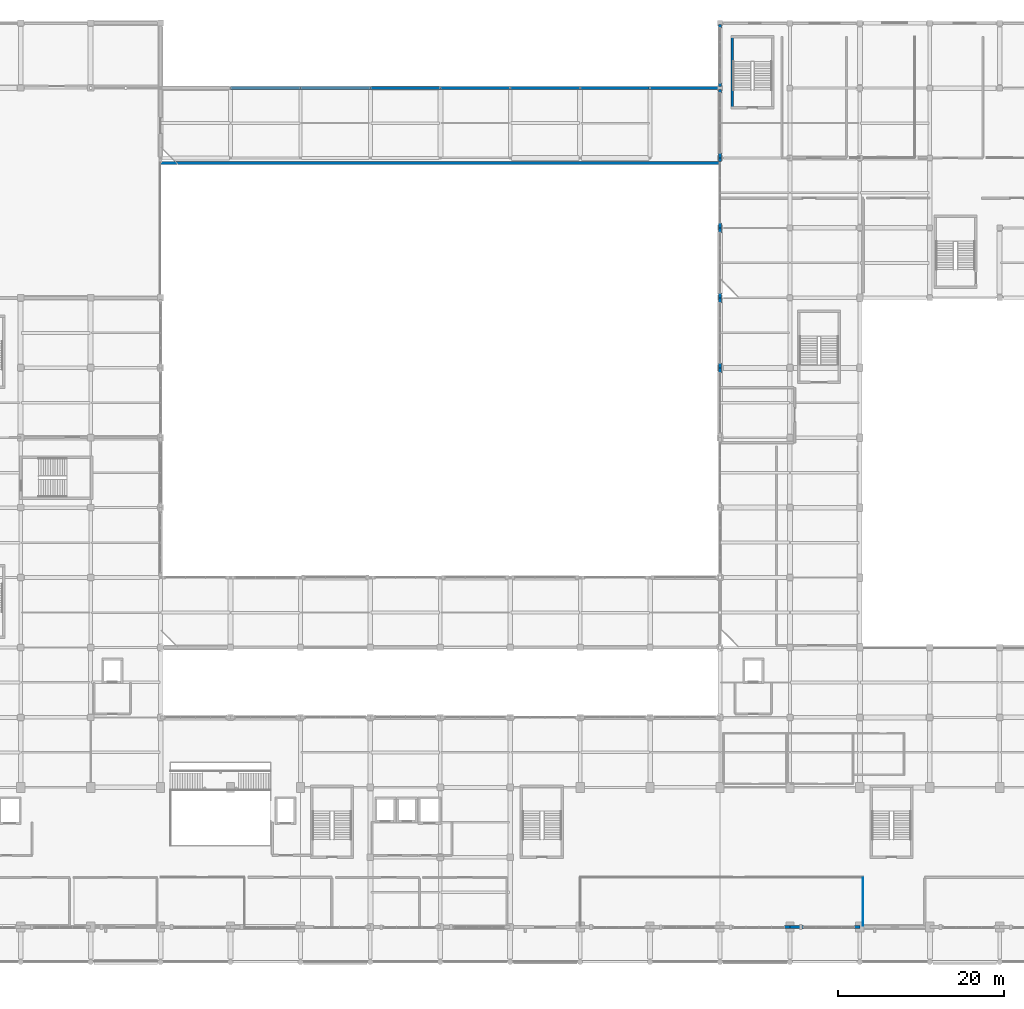
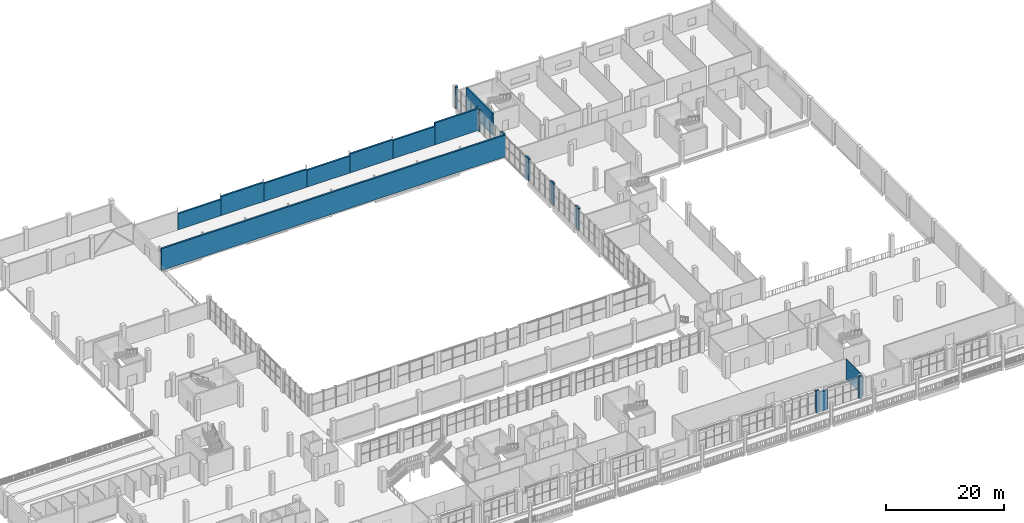
# One storey, part 62 of 75: 24 walls.
"""IFC4 building model written with IfcOpenShell, lengths in metres."""

from ifc_helpers import new_model, si_unit, derived_unit, direction, frame, frame_2d, origin, place, context, subcontext, project, spatial, rectangle, extrude, material, layer, layer_set, type_object, element, save


model = new_model("IFC4")

# Units and contexts
model_context = context("Model", 3, precision=1e-05, world=origin(), true_north=direction((0.0, 1.0)))
body_context = subcontext(model_context, "Body", "Model", "MODEL_VIEW")
ifc_project = project(units=[si_unit("LENGTHUNIT", "METRE"), si_unit("AREAUNIT", "SQUARE_METRE"), si_unit("VOLUMEUNIT", "CUBIC_METRE"), si_unit("PLANEANGLEUNIT", "RADIAN"), si_unit("MASSUNIT", "GRAM", prefix="KILO"), derived_unit("THERMALTRANSMITTANCEUNIT", [(si_unit("POWERUNIT", "WATT"), 1), (si_unit("LENGTHUNIT", "METRE"), -2), (si_unit("THERMODYNAMICTEMPERATUREUNIT", "KELVIN"), -1)])], contexts=[model_context])

# Site, building, storey
site_placement = place(None, origin())
site = spatial("IfcSite", under=ifc_project, at=site_placement, CompositionType="ELEMENT")
building_placement = place(site_placement, origin())
building = spatial("IfcBuilding", under=site, at=building_placement, Name="Barrovel Congress Hotel", CompositionType="ELEMENT")
storey_placement = place(building_placement, frame((0.0, 0.0, 5.39990234375)))
storey = spatial("IfcBuildingStorey", under=building, at=storey_placement, Name="L01", CompositionType="ELEMENT", Elevation=5.39990234375)

# Walls
ifc_material_1 = material(Name="Fired Clay Brick Masonry", Category="masonry")
ifc_layer_1 = layer(ifc_material_1, 0.340087890625)
ifc_layer_set_1 = layer_set([ifc_layer_1], Name="Fired Clay Brick Masonry")
wall_type_1 = type_object("IfcWallType", Name="EW-BRK340", PredefinedType="STANDARD", material=ifc_layer_set_1)
wall_1_placement = place(storey_placement, frame((126.0, 71.39990234375, 0.0), z_axis=(0.0, 0.0, 1.0), x_axis=(0.0, -1.0, 0.0)))
element("IfcWall", 1, at=wall_1_placement, inside=storey, type_object=wall_type_1, Name="EW:L01:CEJ-B:63.0", PredefinedType="STANDARD", context=body_context, shape_type="SweptSolid", body=[
    extrude(rectangle(XDim=0.599853515625, YDim=0.340087890625, at=frame_2d((0.2998046875, 0.0))), origin(), (0.0, 0.0, 1.0), 4.5),
])
for number, where, z_axis, x_axis, name in (
    (2, (126.0, 79.800048828125, 0.0), (0.0, 0.0, 1.0), (0.0, -1.0, 0.0), "EW:L01:CEJ-B:71.4"),
    (3, (126.0, 72.0, 0.0), (0.0, 0.0, 1.0), (0.0, -1.0, 0.0), "EW:L01:CEJ-A:71.4"),
):
    element("IfcWall", number, at=place(storey_placement, frame(where, z_axis=z_axis, x_axis=x_axis)), inside=storey, type_object=wall_type_1, Name=name, PredefinedType="STANDARD", context=body_context, shape_type="SweptSolid", body=[
        extrude(rectangle(XDim=0.60009765625, YDim=0.340087890625, at=frame_2d((0.300048828125, 0.0))), origin(), (0.0, 0.0, 1.0), 4.5),
    ])
for number, where, z_axis, x_axis, name in (
    (4, (126.0, 88.199951171875, 0.0), (0.0, 0.0, 1.0), (0.0, -1.0, 0.0), "EW:L01:CEJ-B:79.8"),
    (5, (126.0, 80.39990234375, 0.0), (0.0, 0.0, 1.0), (0.0, -1.0, 0.0), "EW:L01:CEJ-A:79.8"),
):
    element("IfcWall", number, at=place(storey_placement, frame(where, z_axis=z_axis, x_axis=x_axis)), inside=storey, type_object=wall_type_1, Name=name, PredefinedType="STANDARD", context=body_context, shape_type="SweptSolid", body=[
        extrude(rectangle(XDim=0.599853515625, YDim=0.340087890625, at=frame_2d((0.2998046875, 0.0))), origin(), (0.0, 0.0, 1.0), 4.5),
    ])
wall_2_placement = place(storey_placement, frame((126.0, 96.60009765625, 0.0), z_axis=(0.0, 0.0, 1.0), x_axis=(0.0, -1.0, 0.0)))
element("IfcWall", 6, at=wall_2_placement, inside=storey, type_object=wall_type_1, Name="EW:L01:CEJ-B:88.2", PredefinedType="STANDARD", context=body_context, shape_type="SweptSolid", body=[
    extrude(rectangle(XDim=0.43017578125, YDim=0.340087890625, at=frame_2d((0.215087890625, 0.0))), origin(), (0.0, 0.0, 1.0), 4.5),
])
wall_3_placement = place(storey_placement, frame((126.0, 88.800048828125, 0.0), z_axis=(0.0, 0.0, 1.0), x_axis=(0.0, -1.0, 0.0)))
element("IfcWall", 7, at=wall_3_placement, inside=storey, type_object=wall_type_1, Name="EW:L01:CEJ-A:88.2", PredefinedType="STANDARD", context=body_context, shape_type="SweptSolid", body=[
    extrude(rectangle(XDim=0.60009765625, YDim=0.340087890625, at=frame_2d((0.300048828125, 0.0))), origin(), (0.0, 0.0, 1.0), 4.5),
])
wall_4_placement = place(storey_placement, frame((126.0, 104.830078125, 0.0), z_axis=(0.0, 0.0, 1.0), x_axis=(0.0, -1.0, 0.0)))
element("IfcWall", 8, at=wall_4_placement, inside=storey, type_object=wall_type_1, Name="EW:L01:CEJ-B:96.6", PredefinedType="STANDARD", context=body_context, shape_type="SweptSolid", body=[
    extrude(rectangle(XDim=0.43017578125, YDim=0.340087890625, at=frame_2d((0.215087890625, 0.0))), origin(), (0.0, 0.0, 1.0), 4.5),
])
wall_5_placement = place(storey_placement, frame((126.0, 97.199951171875, 0.0), z_axis=(0.0, 0.0, 1.0), x_axis=(0.0, -1.0, 0.0)))
element("IfcWall", 9, at=wall_5_placement, inside=storey, type_object=wall_type_1, Name="EW:L01:CEJ-A:96.6", PredefinedType="STANDARD", context=body_context, shape_type="SweptSolid", body=[
    extrude(rectangle(XDim=0.599853515625, YDim=0.340087890625, at=frame_2d((0.2998046875, 0.0))), origin(), (0.0, 0.0, 1.0), 4.5),
])
wall_6_placement = place(storey_placement, frame((126.0, 112.6201171875, 0.0), z_axis=(0.0, 0.0, 1.0), x_axis=(0.0, -1.0, 0.0)))
element("IfcWall", 10, at=wall_6_placement, inside=storey, type_object=wall_type_1, Name="EW:L01:CEJ-B:105.0", PredefinedType="STANDARD", context=body_context, shape_type="SweptSolid", body=[
    extrude(rectangle(XDim=0.420166015625, YDim=0.340087890625, at=frame_2d((0.2099609375, 0.0))), origin(), (0.0, 0.0, 1.0), 4.5),
])
wall_7_placement = place(storey_placement, frame((126.0, 105.60009765625, 0.0), z_axis=(0.0, 0.0, 1.0), x_axis=(0.0, -1.0, 0.0)))
element("IfcWall", 11, at=wall_7_placement, inside=storey, type_object=wall_type_1, Name="EW:L01:CEJ-A:105.0", PredefinedType="STANDARD", context=body_context, shape_type="SweptSolid", body=[
    extrude(rectangle(XDim=0.43017578125, YDim=0.340087890625, at=frame_2d((0.215087890625, 0.0))), origin(), (0.0, 0.0, 1.0), 4.5),
])
wall_8_placement = place(storey_placement, frame((58.800048828125, 96.0, 0.0), z_axis=(0.0, 0.0, 1.0), x_axis=(1.0, 0.0, 0.0)))
element("IfcWall", 12, at=wall_8_placement, inside=storey, type_object=wall_type_1, Name="EW:L01:NPV-S", PredefinedType="STANDARD", context=body_context, shape_type="SweptSolid", body=[
    extrude(rectangle(XDim=67.199951171875, YDim=0.340087890625, at=frame_2d((33.60009765625, 0.0))), origin(), (0.0, 0.0, 1.0), 4.5),
])
wall_9_placement = place(storey_placement, frame((126.0, 105.0, 0.0), z_axis=(0.0, 0.0, 1.0), x_axis=(-1.0, 0.0, 0.0)))
element("IfcWall", 13, at=wall_9_placement, inside=storey, type_object=wall_type_1, Name="EW:L01:NPV-N", PredefinedType="STANDARD", context=body_context, shape_type="SweptSolid", body=[
    extrude(rectangle(XDim=8.509521484375, YDim=0.340087890625, at=frame_2d((4.2548828125, 0.0))), origin(), (0.0, 0.0, 1.0), 4.5),
])
wall_10_placement = place(storey_placement, frame((117.490478515625, 105.0, 0.0), z_axis=(0.0, 0.0, 1.0), x_axis=(-1.0, 0.0, 0.0)))
element("IfcWall", 14, at=wall_10_placement, inside=storey, type_object=wall_type_1, Name="EW:L01:NPV-N:P02", PredefinedType="STANDARD", context=body_context, shape_type="SweptSolid", body=[
    extrude(rectangle(XDim=8.290283203125, YDim=0.340087890625, at=frame_2d((4.14501953125, 0.0))), origin(), (0.0, 0.0, 1.0), 3.781005859375),
])
wall_11_placement = place(storey_placement, frame((109.2001953125, 105.0, 0.0), z_axis=(0.0, 0.0, 1.0), x_axis=(-1.0, 0.0, 0.0)))
element("IfcWall", 15, at=wall_11_placement, inside=storey, type_object=wall_type_1, Name="EW:L01:NPV-N:P03", PredefinedType="STANDARD", context=body_context, shape_type="SweptSolid", body=[
    extrude(rectangle(XDim=8.400390625, YDim=0.340087890625, at=frame_2d((4.2001953125, 0.0))), origin(), (0.0, 0.0, 1.0), 3.93017578125),
])
wall_12_placement = place(storey_placement, frame((100.7998046875, 105.0, 0.0), z_axis=(0.0, 0.0, 1.0), x_axis=(-1.0, 0.0, 0.0)))
element("IfcWall", 16, at=wall_12_placement, inside=storey, type_object=wall_type_1, Name="EW:L01:NPV-N:P04", PredefinedType="STANDARD", context=body_context, shape_type="SweptSolid", body=[
    extrude(rectangle(XDim=8.39990234375, YDim=0.340087890625, at=frame_2d((4.199951171875, 0.0))), origin(), (0.0, 0.0, 1.0), 3.489990234375),
])
wall_13_placement = place(storey_placement, frame((92.39990234375, 105.0, 0.0), z_axis=(0.0, 0.0, 1.0), x_axis=(-1.0, 0.0, 0.0)))
element("IfcWall", 17, at=wall_13_placement, inside=storey, type_object=wall_type_1, Name="EW:L01:NPV-N:P05", PredefinedType="STANDARD", context=body_context, shape_type="SweptSolid", body=[
    extrude(rectangle(XDim=8.39990234375, YDim=0.340087890625, at=frame_2d((4.199951171875, 0.0))), origin(), (0.0, 0.0, 1.0), 3.70703125),
])
wall_14_placement = place(storey_placement, frame((84.0, 105.0, 0.0), z_axis=(0.0, 0.0, 1.0), x_axis=(-1.0, 0.0, 0.0)))
element("IfcWall", 18, at=wall_14_placement, inside=storey, type_object=wall_type_1, Name="EW:L01:NPV-N:P06", PredefinedType="STANDARD", context=body_context, shape_type="SweptSolid", body=[
    extrude(rectangle(XDim=8.39990234375, YDim=0.340087890625, at=frame_2d((4.199951171875, 0.0))), origin(), (0.0, 0.0, 1.0), 3.935302734375),
])
wall_15_placement = place(storey_placement, frame((75.60009765625, 105.0, 0.0), z_axis=(0.0, 0.0, 1.0), x_axis=(-1.0, 0.0, 0.0)))
element("IfcWall", 19, at=wall_15_placement, inside=storey, type_object=wall_type_1, Name="EW:L01:NPV-N:P07", PredefinedType="STANDARD", context=body_context, shape_type="SweptSolid", body=[
    extrude(rectangle(XDim=8.39990234375, YDim=0.340087890625, at=frame_2d((4.199951171875, 0.0))), origin(), (0.0, 0.0, 1.0), 3.340087890625),
])
ifc_layer_2 = layer(ifc_material_1, 0.360107421875)
ifc_layer_set_2 = layer_set([ifc_layer_2], Name="Fired Clay Brick Masonry")
wall_type_2 = type_object("IfcWallType", Name="EW-BRK360", PredefinedType="STANDARD", material=ifc_layer_set_2)
wall_16_placement = place(storey_placement, frame((133.739990234375, 4.199951171875, 0.0), z_axis=(0.0, 0.0, 1.0), x_axis=(1.0, 0.0, 0.0)))
element("IfcWall", 20, at=wall_16_placement, inside=storey, type_object=wall_type_2, Name="EW:L01:SJ-R:15", PredefinedType="STANDARD", context=body_context, shape_type="SweptSolid", body=[
    extrude(rectangle(XDim=0.659912109375, YDim=0.360107421875, at=frame_2d((0.330078125, 0.0))), origin(), (0.0, 0.0, 1.0), 4.5),
])
wall_17_placement = place(storey_placement, frame((134.39990234375, 4.199951171875, 0.0), z_axis=(0.0, 0.0, 1.0), x_axis=(1.0, 0.0, 0.0)))
element("IfcWall", 21, at=wall_17_placement, inside=storey, type_object=wall_type_2, Name="EW:L01:SJ-L:16", PredefinedType="STANDARD", context=body_context, shape_type="SweptSolid", body=[
    extrude(rectangle(XDim=1.6201171875, YDim=0.360107421875, at=frame_2d((0.81005859375, 0.0))), origin(), (0.0, 0.0, 1.0), 3.9931640625),
])
wall_18_placement = place(storey_placement, frame((142.139892578125, 4.199951171875, 0.0), z_axis=(0.0, 0.0, 1.0), x_axis=(1.0, 0.0, 0.0)))
element("IfcWall", 22, at=wall_18_placement, inside=storey, type_object=wall_type_2, Name="EW:L01:SJ-R:16", PredefinedType="STANDARD", context=body_context, shape_type="SweptSolid", body=[
    extrude(rectangle(XDim=0.66015625, YDim=0.360107421875, at=frame_2d((0.330078125, 0.0))), origin(), (0.0, 0.0, 1.0), 4.5),
])
ifc_material_2 = material(Name="Gypsum Acoustic Stud", Category="gypsum")
ifc_layer_3 = layer(ifc_material_2, 0.10009765625)
ifc_layer_set_3 = layer_set([ifc_layer_3], Name="Gypsum Acoustic Stud")
wall_type_3 = type_object("IfcWallType", Name="PW-LGT-100", PredefinedType="PARTITIONING", material=ifc_layer_set_3)
wall_19_placement = place(storey_placement, frame((143.179931640625, 4.3798828125, 0.0), z_axis=(0.0, 0.0, 1.0), x_axis=(0.0, 1.0, 0.0)))
element("IfcWall", 23, at=wall_19_placement, inside=storey, type_object=wall_type_3, Name="RW:SP:L01:BIZ:E", PredefinedType="PARTITIONING", context=body_context, shape_type="SweptSolid", body=[
    extrude(rectangle(XDim=5.75, YDim=0.10009765625, at=frame_2d((2.875, 0.0))), origin(), (0.0, 0.0, 1.0), 4.235107421875),
])
ifc_material_3 = material(Name="Concrete C40", Category="concrete")
ifc_layer_4 = layer(ifc_material_3, 0.300048828125)
ifc_layer_set_4 = layer_set([ifc_layer_4], Name="Concrete C40")
wall_type_4 = type_object("IfcWallType", Name="SW-C40-300", PredefinedType="SHEAR", material=ifc_layer_set_4)
wall_20_placement = place(storey_placement, frame((127.449951171875, 111.340087890625, 0.0), z_axis=(0.0, 0.0, 1.0), x_axis=(0.0, -1.0, 0.0)))
element("IfcWall", 24, at=wall_20_placement, inside=storey, type_object=wall_type_4, Name="SHW:XS-10:L01:W", PredefinedType="SHEAR", context=body_context, shape_type="SweptSolid", body=[
    extrude(rectangle(XDim=8.840087890625, YDim=0.300048828125, at=frame_2d((4.419921875, 0.0))), origin(), (0.0, 0.0, 1.0), 4.5),
])

save(model, "model.ifc")
